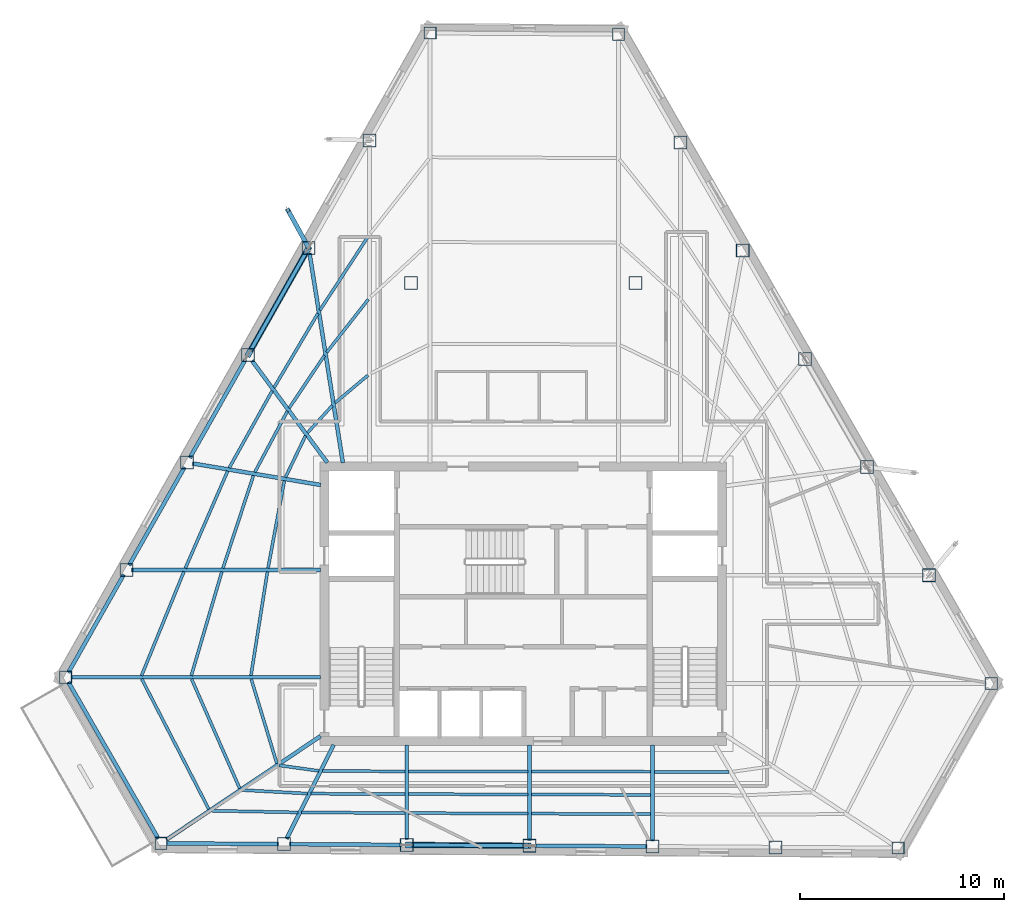
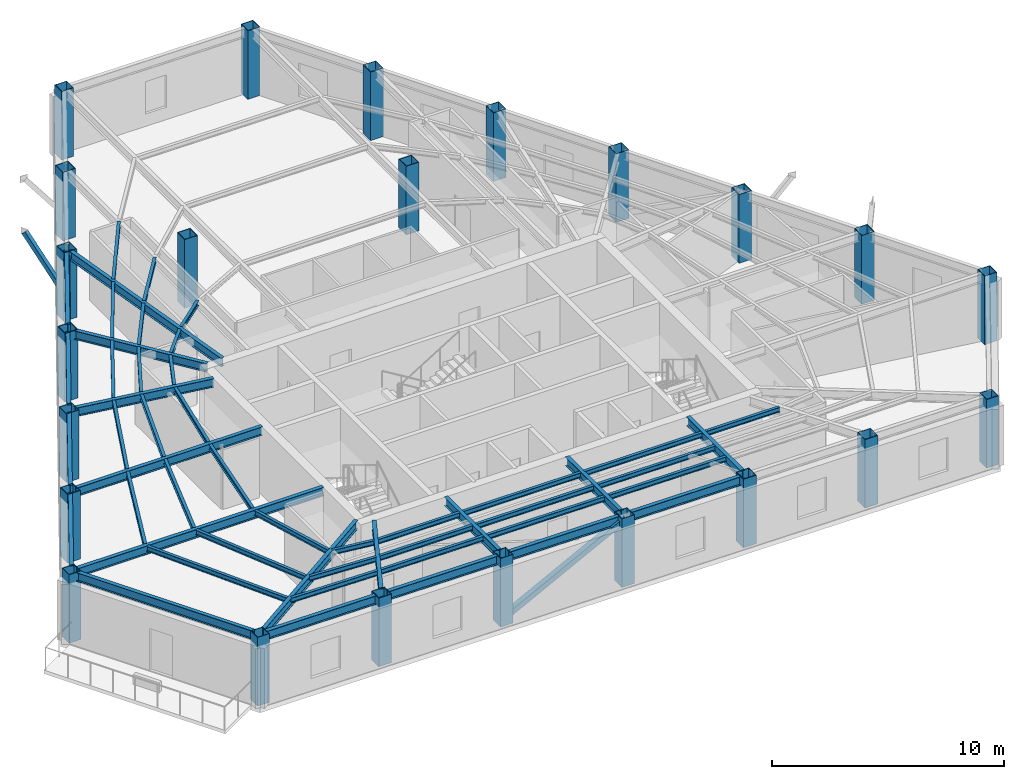
# One storey, part 1 of 11: 50 beams, 23 columns, 3 members.
"""IFC4 building model written with IfcOpenShell, lengths in metres."""

from ifc_helpers import new_model, si_unit, direction, frame, origin, origin_2d, place, context, subcontext, project, spatial, hollow_rectangle, i_section, extrude, material, material_profile, profile_set, type_object, element, save


model = new_model("IFC4")

# Units and contexts
model_context = context("Model", 3, precision=1e-05, world=origin(), true_north=direction((0.0, 1.0)))
body_context = subcontext(model_context, "Body", "Model", "MODEL_VIEW")
ifc_project = project(units=[si_unit("LENGTHUNIT", "METRE"), si_unit("AREAUNIT", "SQUARE_METRE"), si_unit("VOLUMEUNIT", "CUBIC_METRE"), si_unit("PLANEANGLEUNIT", "RADIAN"), si_unit("MASSUNIT", "GRAM", prefix="KILO")], contexts=[model_context])

# Site, building, storey
site_placement = place(None, origin())
site = spatial("IfcSite", under=ifc_project, at=site_placement, CompositionType="ELEMENT")
building_placement = place(site_placement, origin())
building = spatial("IfcBuilding", under=site, at=building_placement, Name="Kavelnor Concourse Tower", CompositionType="ELEMENT")
storey_placement = place(building_placement, frame((0.0, 0.0, 172.699951171875)))
storey = spatial("IfcBuildingStorey", under=building, at=storey_placement, Name="L43", CompositionType="ELEMENT", Elevation=172.699951171875)

# Columns
ifc_material = material(Name="Steel Grade 350", Category="steel")
ifc_material_profile_1 = material_profile(ifc_material, hollow_rectangle(XDim=0.60009765625, YDim=0.60009765625, WallThickness=0.028076171875, at=origin_2d()), Name="SHS 600x600x28")
ifc_profile_set_1 = profile_set([ifc_material_profile_1], Name="Steel Grade 350")
column_type_1 = type_object("IfcColumnType", Name="COL-FOLD-Z3", PredefinedType="COLUMN", material=ifc_profile_set_1)
for number, where, z_axis, x_axis, name in (
    (1, (33.44482421875, 44.042724609375, 0.0), (0.0, 0.0, 1.0), (1.0, 0.0, 0.0), "L43 Perimeter Corner-Fold Column F0-B0"),
    (2, (15.599853515625, 12.5029296875, 0.0), (0.0, 0.0, 1.0), (1.0, 0.0, 0.0), "L43 Perimeter Corner-Fold Column F0-B6"),
    (3, (20.268798828125, 4.372802734375, 0.0), (0.0, 0.0, 1.0), (1.0, 0.0, 0.0), "L43 Perimeter Corner-Fold Column F1-B0"),
    (4, (56.3544921875, 4.141845703125, 0.0), (0.0, 0.0, 1.0), (1.0, 0.0, 0.0), "L43 Perimeter Corner-Fold Column F1-B6"),
    (5, (60.9150390625, 12.2021484375, 0.0), (0.0, 0.0, 1.0), (1.0, 0.0, 0.0), "L43 Perimeter Corner-Fold Column F2-B0"),
    (6, (42.66357421875, 43.98388671875, 0.0), (0.0, 0.0, 1.0), (1.0, 0.0, 0.0), "L43 Perimeter Corner-Fold Column F2-B6"),
):
    element("IfcColumn", number, at=place(storey_placement, frame(where, z_axis=z_axis, x_axis=x_axis)), inside=storey, type_object=column_type_1, Name=name, PredefinedType="COLUMN", context=body_context, shape_type="SweptSolid", body=[
        extrude(hollow_rectangle(XDim=0.60009765625, YDim=0.60009765625, WallThickness=0.028076171875, at=origin_2d()), origin(), (0.0, 0.0, 1.0), 3.60009765625),
    ])
ifc_material_profile_2 = material_profile(ifc_material, hollow_rectangle(XDim=0.639892578125, YDim=0.639892578125, WallThickness=0.028076171875, at=origin_2d()), Name="SHS 640x640x28")
ifc_profile_set_2 = profile_set([ifc_material_profile_2], Name="Steel Grade 350")
column_type_2 = type_object("IfcColumnType", Name="COL-TUBE-Z3", PredefinedType="COLUMN", material=ifc_profile_set_2)
for number, where, z_axis, x_axis, name in (
    (7, (30.470703125, 38.7861328125, 0.0), (0.0, 0.0, 1.0), (1.0, 0.0, 0.0), "L43 Perimeter Framed-Tube Column F0-B1"),
    (8, (27.49658203125, 33.529541015625, 0.0), (0.0, 0.0, 1.0), (1.0, 0.0, 0.0), "L43 Perimeter Framed-Tube Column F0-B2"),
    (9, (24.522216796875, 28.27294921875, 0.0), (0.0, 0.0, 1.0), (1.0, 0.0, 0.0), "L43 Perimeter Framed-Tube Column F0-B3"),
    (10, (21.548095703125, 23.016357421875, 0.0), (0.0, 0.0, 1.0), (1.0, 0.0, 0.0), "L43 Perimeter Framed-Tube Column F0-B4"),
    (11, (18.573974609375, 17.759521484375, 0.0), (0.0, 0.0, 1.0), (1.0, 0.0, 0.0), "L43 Perimeter Framed-Tube Column F0-B5"),
    (12, (26.283203125, 4.33447265625, 0.0), (0.0, 0.0, 1.0), (1.0, 0.0, 0.0), "L43 Perimeter Framed-Tube Column F1-B1"),
    (13, (32.29736328125, 4.2958984375, 0.0), (0.0, 0.0, 1.0), (1.0, 0.0, 0.0), "L43 Perimeter Framed-Tube Column F1-B2"),
    (14, (38.311767578125, 4.25732421875, 0.0), (0.0, 0.0, 1.0), (1.0, 0.0, 0.0), "L43 Perimeter Framed-Tube Column F1-B3"),
    (15, (44.325927734375, 4.218994140625, 0.0), (0.0, 0.0, 1.0), (1.0, 0.0, 0.0), "L43 Perimeter Framed-Tube Column F1-B4"),
    (16, (50.340087890625, 4.180419921875, 0.0), (0.0, 0.0, 1.0), (1.0, 0.0, 0.0), "L43 Perimeter Framed-Tube Column F1-B5"),
    (17, (57.873046875, 17.4990234375, 0.0), (0.0, 0.0, 1.0), (1.0, 0.0, 0.0), "L43 Perimeter Framed-Tube Column F2-B1"),
    (18, (54.831298828125, 22.796142578125, 0.0), (0.0, 0.0, 1.0), (1.0, 0.0, 0.0), "L43 Perimeter Framed-Tube Column F2-B2"),
    (19, (51.789306640625, 28.093017578125, 0.0), (0.0, 0.0, 1.0), (1.0, 0.0, 0.0), "L43 Perimeter Framed-Tube Column F2-B3"),
    (20, (48.747314453125, 33.389892578125, 0.0), (0.0, 0.0, 1.0), (1.0, 0.0, 0.0), "L43 Perimeter Framed-Tube Column F2-B4"),
    (21, (45.70556640625, 38.68701171875, 0.0), (0.0, 0.0, 1.0), (1.0, 0.0, 0.0), "L43 Perimeter Framed-Tube Column F2-B5"),
    (22, (32.5, 31.800048828125, 0.0), (0.0, 0.0, 1.0), (1.0, 0.0, 0.0), "L43 North Interior Gravity Column BC-NW"),
    (23, (43.5, 31.800048828125, 0.0), (0.0, 0.0, 1.0), (1.0, 0.0, 0.0), "L43 North Interior Gravity Column BC-NE"),
):
    element("IfcColumn", number, at=place(storey_placement, frame(where, z_axis=z_axis, x_axis=x_axis)), inside=storey, type_object=column_type_2, Name=name, PredefinedType="COLUMN", context=body_context, shape_type="SweptSolid", body=[
        extrude(hollow_rectangle(XDim=0.639892578125, YDim=0.639892578125, WallThickness=0.028076171875, at=origin_2d()), origin(), (0.0, 0.0, 1.0), 3.60009765625),
    ])

# Beams
ifc_material_profile_3 = material_profile(ifc_material, i_section(OverallWidth=0.14599609375, OverallDepth=0.256103515625, WebThickness=0.00634765625, FlangeThickness=0.010986328125, at=origin_2d()), Name="250UB37")
ifc_profile_set_3 = profile_set([ifc_material_profile_3], Name="Steel Grade 350")
beam_type_1 = type_object("IfcBeamType", Name="BM-JOIST-250", PredefinedType="JOIST", material=ifc_profile_set_3)
beam_1_placement = place(storey_placement, frame((24.68408203125, 12.417724609375, 3.47216796875), z_axis=(0.29021617532, -0.95696111289, 0.0), x_axis=(0.95696111289, 0.29021617532, 0.0)))
element("IfcBeam", 24, at=beam_1_placement, inside=storey, type_object=beam_type_1, Name="L43 Secondary Composite Joist 01-1", PredefinedType="JOIST", context=body_context, shape_type="SweptSolid", body=[
    extrude(i_section(OverallWidth=0.14599609375, OverallDepth=0.256103515625, WebThickness=0.00634765625, FlangeThickness=0.010986328125, at=origin_2d()), origin(), (0.0, 0.0, 1.0), 4.31640625),
])
beam_2_placement = place(storey_placement, frame((21.761474609375, 12.42138671875, 3.47216796875), z_axis=(0.402805743819, -0.915285492481, 0.0), x_axis=(0.915285492481, 0.402805743819, 0.0)))
element("IfcBeam", 25, at=beam_2_placement, inside=storey, type_object=beam_type_1, Name="L43 Secondary Composite Joist 01-2", PredefinedType="JOIST", context=body_context, shape_type="SweptSolid", body=[
    extrude(i_section(OverallWidth=0.14599609375, OverallDepth=0.256103515625, WebThickness=0.00634765625, FlangeThickness=0.010986328125, at=origin_2d()), origin(), (0.0, 0.0, 1.0), 5.85009765625),
])
beam_3_placement = place(storey_placement, frame((19.322265625, 12.423828125, 3.47216796875), z_axis=(0.457969638218, -0.888967834328, 0.0), x_axis=(0.888967834328, 0.457969638218, 0.0)))
element("IfcBeam", 26, at=beam_3_placement, inside=storey, type_object=beam_type_1, Name="L43 Secondary Composite Joist 01-3", PredefinedType="JOIST", context=body_context, shape_type="SweptSolid", body=[
    extrude(i_section(OverallWidth=0.14599609375, OverallDepth=0.256103515625, WebThickness=0.00634765625, FlangeThickness=0.010986328125, at=origin_2d()), origin(), (0.0, 0.0, 1.0), 7.1689453125),
])
beam_4_placement = place(storey_placement, frame((26.05078125, 8.189697265625, 3.47216796875), z_axis=(0.990531875888, -0.137282929929, 0.0), x_axis=(0.137282929929, 0.990531875888, 0.0)))
element("IfcBeam", 27, at=beam_4_placement, inside=storey, type_object=beam_type_1, Name="L43 Secondary Composite Joist 02-1", PredefinedType="JOIST", context=body_context, shape_type="SweptSolid", body=[
    extrude(i_section(OverallWidth=0.14599609375, OverallDepth=0.256103515625, WebThickness=0.00634765625, FlangeThickness=0.010986328125, at=origin_2d()), origin(), (0.0, 0.0, 1.0), 1.9580078125),
])
beam_5_placement = place(storey_placement, frame((24.242431640625, 6.980712890625, 3.47216796875), z_axis=(0.998574679918, -0.053372358255, 0.0), x_axis=(0.053372358255, 0.998574679918, 0.0)))
element("IfcBeam", 28, at=beam_5_placement, inside=storey, type_object=beam_type_1, Name="L43 Secondary Composite Joist 02-2", PredefinedType="JOIST", context=body_context, shape_type="SweptSolid", body=[
    extrude(i_section(OverallWidth=0.14599609375, OverallDepth=0.256103515625, WebThickness=0.00634765625, FlangeThickness=0.010986328125, at=origin_2d()), origin(), (0.0, 0.0, 1.0), 3.197509765625),
])
beam_6_placement = place(storey_placement, frame((22.735107421875, 5.969970703125, 3.47216796875), z_axis=(0.999811631777, -0.019408785709, 0.0), x_axis=(0.019408785709, 0.999811631777, 0.0)))
element("IfcBeam", 29, at=beam_6_placement, inside=storey, type_object=beam_type_1, Name="L43 Secondary Composite Joist 02-3", PredefinedType="JOIST", context=body_context, shape_type="SweptSolid", body=[
    extrude(i_section(OverallWidth=0.14599609375, OverallDepth=0.256103515625, WebThickness=0.00634765625, FlangeThickness=0.010986328125, at=origin_2d()), origin(), (0.0, 0.0, 1.0), 4.239013671875),
])
beam_7_placement = place(storey_placement, frame((28.16748046875, 7.908447265625, 3.47216796875), z_axis=(0.999997764351, -0.002114543363, 0.0), x_axis=(0.002114543363, 0.999997764351, 0.0)))
element("IfcBeam", 30, at=beam_7_placement, inside=storey, type_object=beam_type_1, Name="L43 Secondary Composite Joist 03-1", PredefinedType="JOIST", context=body_context, shape_type="SweptSolid", body=[
    extrude(i_section(OverallWidth=0.14599609375, OverallDepth=0.256103515625, WebThickness=0.00634765625, FlangeThickness=0.010986328125, at=origin_2d()), origin(), (0.0, 0.0, 1.0), 4.041015625),
])
beam_8_placement = place(storey_placement, frame((27.61328125, 6.804931640625, 3.47216796875), z_axis=(0.999990967405, -0.004250306949, 0.0), x_axis=(0.004250306949, 0.999990967405, 0.0)))
element("IfcBeam", 31, at=beam_8_placement, inside=storey, type_object=beam_type_1, Name="L43 Secondary Composite Joist 03-2", PredefinedType="JOIST", context=body_context, shape_type="SweptSolid", body=[
    extrude(i_section(OverallWidth=0.14599609375, OverallDepth=0.256103515625, WebThickness=0.00634765625, FlangeThickness=0.010986328125, at=origin_2d()), origin(), (0.0, 0.0, 1.0), 4.59521484375),
])
beam_9_placement = place(storey_placement, frame((27.1513671875, 5.885498046875, 3.47216796875), z_axis=(0.999983774597, -0.005696537868, 0.0), x_axis=(0.005696537868, 0.999983774597, 0.0)))
element("IfcBeam", 32, at=beam_9_placement, inside=storey, type_object=beam_type_1, Name="L43 Secondary Composite Joist 03-3", PredefinedType="JOIST", context=body_context, shape_type="SweptSolid", body=[
    extrude(i_section(OverallWidth=0.14599609375, OverallDepth=0.256103515625, WebThickness=0.00634765625, FlangeThickness=0.010986328125, at=origin_2d()), origin(), (0.0, 0.0, 1.0), 5.05712890625),
])
for number, where, z_axis, x_axis, name in (
    (33, (32.386474609375, 7.8994140625, 3.47216796875), (0.999998382187, -0.001798783955, 0.0), (0.001798783955, 0.999998382187, 0.0), "L43 Secondary Composite Joist 04-1"),
    (34, (32.386474609375, 6.784912109375, 3.47216796875), (0.999994400247, -0.003346561473, 0.0), (0.003346561473, 0.999994400247, 0.0), "L43 Secondary Composite Joist 04-2"),
    (35, (32.386474609375, 5.855712890625, 3.47216796875), (0.999989413047, -0.004601499077, 0.0), (0.004601499077, 0.999989413047, 0.0), "L43 Secondary Composite Joist 04-3"),
    (36, (38.400634765625, 7.888671875, 3.47216796875), (0.999998456559, -0.0017569519, 0.0), (0.0017569519, 0.999998456559, 0.0), "L43 Secondary Composite Joist 05-1"),
    (37, (38.400634765625, 6.764892578125, 3.47216796875), (0.999994400247, -0.003346561473, 0.0), (0.003346561473, 0.999994400247, 0.0), "L43 Secondary Composite Joist 05-2"),
    (38, (38.400634765625, 5.828125, 3.47216796875), (0.999989413047, -0.004601499077, 0.0), (0.004601499077, 0.999989413047, 0.0), "L43 Secondary Composite Joist 05-3"),
):
    element("IfcBeam", number, at=place(storey_placement, frame(where, z_axis=z_axis, x_axis=x_axis)), inside=storey, type_object=beam_type_1, Name=name, PredefinedType="JOIST", context=body_context, shape_type="SweptSolid", body=[
        extrude(i_section(OverallWidth=0.14599609375, OverallDepth=0.256103515625, WebThickness=0.00634765625, FlangeThickness=0.010986328125, at=origin_2d()), origin(), (0.0, 0.0, 1.0), 5.836181640625),
    ])
beam_10_placement = place(storey_placement, frame((44.414794921875, 7.877685546875, 3.47216796875), z_axis=(0.999994236967, -0.003395001071, 0.0), x_axis=(0.003395001071, 0.999994236967, 0.0)))
element("IfcBeam", 39, at=beam_10_placement, inside=storey, type_object=beam_type_1, Name="L43 Secondary Composite Joist 06-1", PredefinedType="JOIST", context=body_context, shape_type="SweptSolid", body=[
    extrude(i_section(OverallWidth=0.14599609375, OverallDepth=0.256103515625, WebThickness=0.00634765625, FlangeThickness=0.010986328125, at=origin_2d()), origin(), (0.0, 0.0, 1.0), 3.66748046875),
])
beam_11_placement = place(storey_placement, frame((30.40234375, 27.290283203125, 3.47216796875), z_axis=(-0.766323664062, -0.642454700269, 0.0), x_axis=(0.642454700269, -0.766323664062, 0.0)))
element("IfcBeam", 40, at=beam_11_placement, inside=storey, type_object=beam_type_1, Name="L43 Secondary Composite Joist 17-1", PredefinedType="JOIST", context=body_context, shape_type="SweptSolid", body=[
    extrude(i_section(OverallWidth=0.14599609375, OverallDepth=0.256103515625, WebThickness=0.00634765625, FlangeThickness=0.010986328125, at=origin_2d()), origin(), (0.0, 0.0, 1.0), 2.11279296875),
])
beam_12_placement = place(storey_placement, frame((30.41552734375, 31.003662109375, 3.47216796875), z_axis=(-0.617837896723, -0.786305496212, 0.0), x_axis=(0.786305496212, -0.617837896723, 0.0)))
element("IfcBeam", 41, at=beam_12_placement, inside=storey, type_object=beam_type_1, Name="L43 Secondary Composite Joist 17-2", PredefinedType="JOIST", context=body_context, shape_type="SweptSolid", body=[
    extrude(i_section(OverallWidth=0.14599609375, OverallDepth=0.256103515625, WebThickness=0.00634765625, FlangeThickness=0.010986328125, at=origin_2d()), origin(), (0.0, 0.0, 1.0), 3.29833984375),
])
beam_13_placement = place(storey_placement, frame((30.421875, 34.1044921875, 3.47216796875), z_axis=(-0.547234222069, -0.836979513606, 0.0), x_axis=(0.836979513606, -0.547234222069, 0.0)))
element("IfcBeam", 42, at=beam_13_placement, inside=storey, type_object=beam_type_1, Name="L43 Secondary Composite Joist 17-3", PredefinedType="JOIST", context=body_context, shape_type="SweptSolid", body=[
    extrude(i_section(OverallWidth=0.14599609375, OverallDepth=0.256103515625, WebThickness=0.00634765625, FlangeThickness=0.010986328125, at=origin_2d()), origin(), (0.0, 0.0, 1.0), 4.344482421875),
])
beam_14_placement = place(storey_placement, frame((28.6552734375, 25.809814453125, 3.47216796875), z_axis=(-0.672881208698, -0.739750551863, 0.0), x_axis=(0.739750551863, -0.672881208698, 0.0)))
element("IfcBeam", 43, at=beam_14_placement, inside=storey, type_object=beam_type_1, Name="L43 Secondary Composite Joist 18-1", PredefinedType="JOIST", context=body_context, shape_type="SweptSolid", body=[
    extrude(i_section(OverallWidth=0.14599609375, OverallDepth=0.256103515625, WebThickness=0.00634765625, FlangeThickness=0.010986328125, at=origin_2d()), origin(), (0.0, 0.0, 1.0), 1.80712890625),
])
beam_15_placement = place(storey_placement, frame((28.273193359375, 28.26611328125, 3.47216796875), z_axis=(-0.556238368313, -0.83102279007, 0.0), x_axis=(0.83102279007, -0.556238368313, 0.0)))
element("IfcBeam", 44, at=beam_15_placement, inside=storey, type_object=beam_type_1, Name="L43 Secondary Composite Joist 18-2", PredefinedType="JOIST", context=body_context, shape_type="SweptSolid", body=[
    extrude(i_section(OverallWidth=0.14599609375, OverallDepth=0.256103515625, WebThickness=0.00634765625, FlangeThickness=0.010986328125, at=origin_2d()), origin(), (0.0, 0.0, 1.0), 3.111572265625),
])
beam_16_placement = place(storey_placement, frame((27.950439453125, 30.317138671875, 3.47216796875), z_axis=(-0.509292060752, -0.860593746698, 0.0), x_axis=(0.860593746698, -0.509292060752, 0.0)))
element("IfcBeam", 45, at=beam_16_placement, inside=storey, type_object=beam_type_1, Name="L43 Secondary Composite Joist 18-3", PredefinedType="JOIST", context=body_context, shape_type="SweptSolid", body=[
    extrude(i_section(OverallWidth=0.14599609375, OverallDepth=0.256103515625, WebThickness=0.00634765625, FlangeThickness=0.010986328125, at=origin_2d()), origin(), (0.0, 0.0, 1.0), 4.223388671875),
])
beam_17_placement = place(storey_placement, frame((27.3408203125, 24.326904296875, 3.47216796875), z_axis=(-0.43370174279, -0.901056490072, 0.0), x_axis=(0.901056490072, -0.43370174279, 0.0)))
element("IfcBeam", 46, at=beam_17_placement, inside=storey, type_object=beam_type_1, Name="L43 Secondary Composite Joist 19-1", PredefinedType="JOIST", context=body_context, shape_type="SweptSolid", body=[
    extrude(i_section(OverallWidth=0.14599609375, OverallDepth=0.256103515625, WebThickness=0.00634765625, FlangeThickness=0.010986328125, at=origin_2d()), origin(), (0.0, 0.0, 1.0), 2.256103515625),
])
beam_18_placement = place(storey_placement, frame((26.451171875, 25.52783203125, 3.47216796875), z_axis=(-0.470546998955, -0.882374932653, 0.0), x_axis=(0.882374932653, -0.470546998955, 0.0)))
element("IfcBeam", 47, at=beam_18_placement, inside=storey, type_object=beam_type_1, Name="L43 Secondary Composite Joist 19-2", PredefinedType="JOIST", context=body_context, shape_type="SweptSolid", body=[
    extrude(i_section(OverallWidth=0.14599609375, OverallDepth=0.256103515625, WebThickness=0.00634765625, FlangeThickness=0.010986328125, at=origin_2d()), origin(), (0.0, 0.0, 1.0), 3.38037109375),
])
beam_19_placement = place(storey_placement, frame((25.7109375, 26.528076171875, 3.47216796875), z_axis=(-0.4868709812, -0.873473896385, 0.0), x_axis=(0.873473896385, -0.4868709812, 0.0)))
element("IfcBeam", 48, at=beam_19_placement, inside=storey, type_object=beam_type_1, Name="L43 Secondary Composite Joist 19-3", PredefinedType="JOIST", context=body_context, shape_type="SweptSolid", body=[
    extrude(i_section(OverallWidth=0.14599609375, OverallDepth=0.256103515625, WebThickness=0.00634765625, FlangeThickness=0.010986328125, at=origin_2d()), origin(), (0.0, 0.0, 1.0), 4.319580078125),
])
beam_20_placement = place(storey_placement, frame((26.307373046875, 22.126220703125, 3.47216796875), z_axis=(-0.183729785903, -0.982976788013, 0.0), x_axis=(0.982976788013, -0.183729785903, 0.0)))
element("IfcBeam", 49, at=beam_20_placement, inside=storey, type_object=beam_type_1, Name="L43 Secondary Composite Joist 20-1", PredefinedType="JOIST", context=body_context, shape_type="SweptSolid", body=[
    extrude(i_section(OverallWidth=0.14599609375, OverallDepth=0.256103515625, WebThickness=0.00634765625, FlangeThickness=0.010986328125, at=origin_2d()), origin(), (0.0, 0.0, 1.0), 4.353271484375),
])
beam_21_placement = place(storey_placement, frame((24.791015625, 22.382080078125, 3.47216796875), z_axis=(-0.31219217112, -0.950018972595, 0.0), x_axis=(0.950018972595, -0.31219217112, 0.0)))
element("IfcBeam", 50, at=beam_21_placement, inside=storey, type_object=beam_type_1, Name="L43 Secondary Composite Joist 20-2", PredefinedType="JOIST", context=body_context, shape_type="SweptSolid", body=[
    extrude(i_section(OverallWidth=0.14599609375, OverallDepth=0.256103515625, WebThickness=0.00634765625, FlangeThickness=0.010986328125, at=origin_2d()), origin(), (0.0, 0.0, 1.0), 4.776611328125),
])
beam_22_placement = place(storey_placement, frame((23.529052734375, 22.595703125, 3.47216796875), z_axis=(-0.399282086368, -0.916828127571, 0.0), x_axis=(0.916828127571, -0.399282086368, 0.0)))
element("IfcBeam", 51, at=beam_22_placement, inside=storey, type_object=beam_type_1, Name="L43 Secondary Composite Joist 20-3", PredefinedType="JOIST", context=body_context, shape_type="SweptSolid", body=[
    extrude(i_section(OverallWidth=0.14599609375, OverallDepth=0.256103515625, WebThickness=0.00634765625, FlangeThickness=0.010986328125, at=origin_2d()), origin(), (0.0, 0.0, 1.0), 5.185791015625),
])
beam_23_placement = place(storey_placement, frame((25.477294921875, 17.671630859375, 3.47216796875), z_axis=(-0.156474346752, -0.987682023127, 0.0), x_axis=(0.987682023127, -0.156474346752, 0.0)))
element("IfcBeam", 52, at=beam_23_placement, inside=storey, type_object=beam_type_1, Name="L43 Secondary Composite Joist 21-1", PredefinedType="JOIST", context=body_context, shape_type="SweptSolid", body=[
    extrude(i_section(OverallWidth=0.14599609375, OverallDepth=0.256103515625, WebThickness=0.00634765625, FlangeThickness=0.010986328125, at=origin_2d()), origin(), (0.0, 0.0, 1.0), 5.144287109375),
])
beam_24_placement = place(storey_placement, frame((23.2470703125, 17.67431640625, 3.47216796875), z_axis=(-0.282248599374, -0.959341299096, 0.0), x_axis=(0.959341299096, -0.282248599374, 0.0)))
element("IfcBeam", 53, at=beam_24_placement, inside=storey, type_object=beam_type_1, Name="L43 Secondary Composite Joist 21-2", PredefinedType="JOIST", context=body_context, shape_type="SweptSolid", body=[
    extrude(i_section(OverallWidth=0.14599609375, OverallDepth=0.256103515625, WebThickness=0.00634765625, FlangeThickness=0.010986328125, at=origin_2d()), origin(), (0.0, 0.0, 1.0), 5.301513671875),
])
beam_25_placement = place(storey_placement, frame((21.389404296875, 17.67724609375, 3.47216796875), z_axis=(-0.377263034945, -0.926106150754, 0.0), x_axis=(0.926106150754, -0.377263034945, 0.0)))
element("IfcBeam", 54, at=beam_25_placement, inside=storey, type_object=beam_type_1, Name="L43 Secondary Composite Joist 21-3", PredefinedType="JOIST", context=body_context, shape_type="SweptSolid", body=[
    extrude(i_section(OverallWidth=0.14599609375, OverallDepth=0.256103515625, WebThickness=0.00634765625, FlangeThickness=0.010986328125, at=origin_2d()), origin(), (0.0, 0.0, 1.0), 5.498046875),
])
ifc_material_profile_4 = material_profile(ifc_material, i_section(OverallWidth=0.18994140625, OverallDepth=0.4541015625, WebThickness=0.008544921875, FlangeThickness=0.0126953125, at=origin_2d()), Name="460UB67")
ifc_profile_set_4 = profile_set([ifc_material_profile_4], Name="Steel Grade 350")
beam_type_2 = type_object("IfcBeamType", Name="BM-PRIMARY-460", PredefinedType="BEAM", material=ifc_profile_set_4)
beam_26_placement = place(storey_placement, frame((29.1728515625, 23.00048828125, 3.373046875), z_axis=(-0.157221221797, 0.987563409314, 0.0), x_axis=(-0.987563409314, -0.157221221797, 0.0)))
element("IfcBeam", 55, at=beam_26_placement, inside=storey, type_object=beam_type_2, Name="L43 Primary Floor Girder F0-B2", PredefinedType="BEAM", context=body_context, shape_type="SweptSolid", body=[
    extrude(i_section(OverallWidth=0.18994140625, OverallDepth=0.4541015625, WebThickness=0.008544921875, FlangeThickness=0.0126953125, at=origin_2d()), origin(), (0.0, 0.0, 1.0), 10.39794921875),
])
beam_27_placement = place(storey_placement, frame((28.413330078125, 23.0078125, 3.373046875), z_axis=(-0.594333614153, 0.804218599068, 0.0), x_axis=(-0.804218599068, -0.594333614153, 0.0)))
element("IfcBeam", 56, at=beam_27_placement, inside=storey, type_object=beam_type_2, Name="L43 Primary Floor Girder F0-B3", PredefinedType="BEAM", context=body_context, shape_type="SweptSolid", body=[
    extrude(i_section(OverallWidth=0.18994140625, OverallDepth=0.4541015625, WebThickness=0.008544921875, FlangeThickness=0.0126953125, at=origin_2d()), origin(), (0.0, 0.0, 1.0), 6.2138671875),
])
beam_28_placement = place(storey_placement, frame((28.079345703125, 21.918701171875, 3.373046875), z_axis=(-0.986173039634, 0.165718845938, 0.0), x_axis=(-0.165718845938, -0.986173039634, 0.0)))
element("IfcBeam", 57, at=beam_28_placement, inside=storey, type_object=beam_type_2, Name="L43 Primary Floor Girder F0-B4", PredefinedType="BEAM", context=body_context, shape_type="SweptSolid", body=[
    extrude(i_section(OverallWidth=0.18994140625, OverallDepth=0.4541015625, WebThickness=0.008544921875, FlangeThickness=0.0126953125, at=origin_2d()), origin(), (0.0, 0.0, 1.0), 6.3583984375),
])
beam_29_placement = place(storey_placement, frame((28.080078125, 17.759521484375, 3.373046875), z_axis=(-1.0, 0.0, 0.0), x_axis=(0.0, -1.0, 0.0)))
element("IfcBeam", 58, at=beam_29_placement, inside=storey, type_object=beam_type_2, Name="L43 Primary Floor Girder F0-B5", PredefinedType="BEAM", context=body_context, shape_type="SweptSolid", body=[
    extrude(i_section(OverallWidth=0.18994140625, OverallDepth=0.4541015625, WebThickness=0.008544921875, FlangeThickness=0.0126953125, at=origin_2d()), origin(), (0.0, 0.0, 1.0), 9.24609375),
])
beam_30_placement = place(storey_placement, frame((28.080078125, 12.5029296875, 3.373046875), z_axis=(-1.0, 0.0, 0.0), x_axis=(0.0, -1.0, 0.0)))
element("IfcBeam", 59, at=beam_30_placement, inside=storey, type_object=beam_type_2, Name="L43 Primary Floor Girder F0-B6", PredefinedType="BEAM", context=body_context, shape_type="SweptSolid", body=[
    extrude(i_section(OverallWidth=0.18994140625, OverallDepth=0.4541015625, WebThickness=0.008544921875, FlangeThickness=0.0126953125, at=origin_2d()), origin(), (0.0, 0.0, 1.0), 12.22021484375),
])
beam_31_placement = place(storey_placement, frame((28.0732421875, 9.62109375, 3.373046875), z_axis=(-0.829818964716, -0.558032692409, 0.0), x_axis=(0.558032692409, -0.829818964716, 0.0)))
element("IfcBeam", 60, at=beam_31_placement, inside=storey, type_object=beam_type_2, Name="L43 Primary Floor Girder F1-B0", PredefinedType="BEAM", context=body_context, shape_type="SweptSolid", body=[
    extrude(i_section(OverallWidth=0.18994140625, OverallDepth=0.4541015625, WebThickness=0.008544921875, FlangeThickness=0.0126953125, at=origin_2d()), origin(), (0.0, 0.0, 1.0), 9.08349609375),
])
beam_32_placement = place(storey_placement, frame((28.724853515625, 9.19580078125, 3.373046875), z_axis=(-0.448845360672, -0.893609446125, 0.0), x_axis=(0.893609446125, -0.448845360672, 0.0)))
element("IfcBeam", 61, at=beam_32_placement, inside=storey, type_object=beam_type_2, Name="L43 Primary Floor Girder F1-B1", PredefinedType="BEAM", context=body_context, shape_type="SweptSolid", body=[
    extrude(i_section(OverallWidth=0.18994140625, OverallDepth=0.4541015625, WebThickness=0.008544921875, FlangeThickness=0.0126953125, at=origin_2d()), origin(), (0.0, 0.0, 1.0), 5.14453125),
])
beam_33_placement = place(storey_placement, frame((32.29736328125, 9.199951171875, 3.373046875), z_axis=(0.0, -1.0, 0.0), x_axis=(1.0, 0.0, 0.0)))
element("IfcBeam", 62, at=beam_33_placement, inside=storey, type_object=beam_type_2, Name="L43 Primary Floor Girder F1-B2", PredefinedType="BEAM", context=body_context, shape_type="SweptSolid", body=[
    extrude(i_section(OverallWidth=0.18994140625, OverallDepth=0.4541015625, WebThickness=0.008544921875, FlangeThickness=0.0126953125, at=origin_2d()), origin(), (0.0, 0.0, 1.0), 4.64404296875),
])
beam_34_placement = place(storey_placement, frame((38.311767578125, 9.199951171875, 3.373046875), z_axis=(0.0, -1.0, 0.0), x_axis=(1.0, 0.0, 0.0)))
element("IfcBeam", 63, at=beam_34_placement, inside=storey, type_object=beam_type_2, Name="L43 Primary Floor Girder F1-B3", PredefinedType="BEAM", context=body_context, shape_type="SweptSolid", body=[
    extrude(i_section(OverallWidth=0.18994140625, OverallDepth=0.4541015625, WebThickness=0.008544921875, FlangeThickness=0.0126953125, at=origin_2d()), origin(), (0.0, 0.0, 1.0), 4.6826171875),
])
beam_35_placement = place(storey_placement, frame((44.325927734375, 9.199951171875, 3.373046875), z_axis=(0.0, -1.0, 0.0), x_axis=(1.0, 0.0, 0.0)))
element("IfcBeam", 64, at=beam_35_placement, inside=storey, type_object=beam_type_2, Name="L43 Primary Floor Girder F1-B4", PredefinedType="BEAM", context=body_context, shape_type="SweptSolid", body=[
    extrude(i_section(OverallWidth=0.18994140625, OverallDepth=0.4541015625, WebThickness=0.008544921875, FlangeThickness=0.0126953125, at=origin_2d()), origin(), (0.0, 0.0, 1.0), 4.720947265625),
])
ifc_material_profile_5 = material_profile(ifc_material, i_section(OverallWidth=0.19091796875, OverallDepth=0.4599609375, WebThickness=0.010009765625, FlangeThickness=0.01611328125, at=origin_2d()), Name="460UB82")
ifc_profile_set_5 = profile_set([ifc_material_profile_5], Name="Steel Grade 350")
beam_type_3 = type_object("IfcBeamType", Name="BM-SPANDREL-Z3", PredefinedType="SPANDREL", material=ifc_profile_set_5)
for number, where, z_axis, x_axis, name in (
    (65, (27.365966796875, 33.298828125, 3.3701171875), (-0.492426617685, -0.870353966037, 0.0), (0.870353966037, -0.492426617685, 0.0), "L43 Perimeter Tube Spandrel Beam F0-B2"),
    (66, (24.391845703125, 28.042236328125, 3.3701171875), (-0.492426617685, -0.870353966037, 0.0), (0.870353966037, -0.492426617685, 0.0), "L43 Perimeter Tube Spandrel Beam F0-B3"),
    (67, (21.417724609375, 22.78564453125, 3.3701171875), (-0.492426617685, -0.870353966037, 0.0), (0.870353966037, -0.492426617685, 0.0), "L43 Perimeter Tube Spandrel Beam F0-B4"),
    (68, (18.443603515625, 17.529052734375, 3.3701171875), (-0.492426617685, -0.870353966037, 0.0), (0.870353966037, -0.492426617685, 0.0), "L43 Perimeter Tube Spandrel Beam F0-B5"),
):
    element("IfcBeam", number, at=place(storey_placement, frame(where, z_axis=z_axis, x_axis=x_axis)), inside=storey, type_object=beam_type_3, Name=name, PredefinedType="SPANDREL", context=body_context, shape_type="SweptSolid", body=[
        extrude(i_section(OverallWidth=0.19091796875, OverallDepth=0.4599609375, WebThickness=0.010009765625, FlangeThickness=0.01611328125, at=origin_2d()), origin(), (0.0, 0.0, 1.0), 5.509765625),
    ])
for number, where, z_axis, x_axis, name in (
    (69, (20.53369140625, 4.37109375, 3.3701171875), (0.999979739288, -0.006365611766, 0.0), (0.006365611766, 0.999979739288, 0.0), "L43 Perimeter Tube Spandrel Beam F1-B0"),
    (70, (26.548095703125, 4.332763671875, 3.3701171875), (0.99997945494, -0.006410124711, 0.0), (0.006410124711, 0.99997945494, 0.0), "L43 Perimeter Tube Spandrel Beam F1-B1"),
):
    element("IfcBeam", number, at=place(storey_placement, frame(where, z_axis=z_axis, x_axis=x_axis)), inside=storey, type_object=beam_type_3, Name=name, PredefinedType="SPANDREL", context=body_context, shape_type="SweptSolid", body=[
        extrude(i_section(OverallWidth=0.19091796875, OverallDepth=0.4599609375, WebThickness=0.010009765625, FlangeThickness=0.01611328125, at=origin_2d()), origin(), (0.0, 0.0, 1.0), 5.484375),
    ])
for number, where, z_axis, x_axis, name in (
    (71, (32.5625, 4.294189453125, 3.3701171875), (0.99997945311, -0.006410410063, 0.0), (0.006410410063, 0.99997945311, 0.0), "L43 Perimeter Tube Spandrel Beam F1-B2"),
    (72, (38.57666015625, 4.255615234375, 3.3701171875), (0.999979737484, -0.006365895137, 0.0), (0.006365895137, 0.999979737484, 0.0), "L43 Perimeter Tube Spandrel Beam F1-B3"),
):
    element("IfcBeam", number, at=place(storey_placement, frame(where, z_axis=z_axis, x_axis=x_axis)), inside=storey, type_object=beam_type_3, Name=name, PredefinedType="SPANDREL", context=body_context, shape_type="SweptSolid", body=[
        extrude(i_section(OverallWidth=0.19091796875, OverallDepth=0.4599609375, WebThickness=0.010009765625, FlangeThickness=0.01611328125, at=origin_2d()), origin(), (0.0, 0.0, 1.0), 5.484130859375),
    ])
beam_36_placement = place(storey_placement, frame((15.73193359375, 12.273193359375, 3.3701171875), z_axis=(0.497986690924, -0.867184672179, 0.0), x_axis=(0.867184672179, 0.497986690924, 0.0)))
element("IfcBeam", 73, at=beam_36_placement, inside=storey, type_object=beam_type_3, Name="L43 Chamfer Facet Spandrel Beam C1", PredefinedType="SPANDREL", context=body_context, shape_type="SweptSolid", body=[
    extrude(i_section(OverallWidth=0.19091796875, OverallDepth=0.4599609375, WebThickness=0.010009765625, FlangeThickness=0.01611328125, at=origin_2d()), origin(), (0.0, 0.0, 1.0), 8.84521484375),
])

# Members
ifc_material_profile_6 = material_profile(ifc_material, hollow_rectangle(XDim=0.219970703125, YDim=0.219970703125, WallThickness=0.013916015625, at=origin_2d()), Name="SHS 220x220x14")
ifc_profile_set_6 = profile_set([ifc_material_profile_6], Name="Steel Grade 350")
member_type_1 = type_object("IfcMemberType", Name="MBR-BALC-STRUT-220", PredefinedType="STRUT", material=ifc_profile_set_6)
member_1_placement = place(storey_placement, frame((27.49658203125, 33.529541015625, 1.050048828125), z_axis=(-0.303242877555, 0.550270256529, 0.777975836381), x_axis=(-0.87581623249, -0.482644721204, 0.0)))
element("IfcMember", 74, at=member_1_placement, inside=storey, type_object=member_type_1, Name="L43 Tree Balcony Raking Knee Strut 2-B", PredefinedType="STRUT", context=body_context, shape_type="SweptSolid", body=[
    extrude(hollow_rectangle(XDim=0.219970703125, YDim=0.219970703125, WallThickness=0.013916015625, at=origin_2d()), origin(), (0.0, 0.0, 1.0), 3.348388671875),
])
ifc_material_profile_7 = material_profile(ifc_material, hollow_rectangle(XDim=0.280029296875, YDim=0.280029296875, WallThickness=0.01611328125, at=origin_2d()), Name="SHS 280x280x16")
ifc_profile_set_7 = profile_set([ifc_material_profile_7], Name="Steel Grade 350")
member_type_2 = type_object("IfcMemberType", Name="MBR-TUBE-DIAG-Z3", PredefinedType="BRACE", material=ifc_profile_set_7)
member_2_placement = place(storey_placement, frame((24.522216796875, 28.27294921875, 0.219970703125), z_axis=(0.436642305947, 0.771677377439, 0.462447317872), x_axis=(-0.870332370991, 0.492464784533, 0.0)))
element("IfcMember", 75, at=member_2_placement, inside=storey, type_object=member_type_2, Name="L43 Framed-Tube Bracing Diagonal F0-B2", PredefinedType="BRACE", context=body_context, shape_type="SweptSolid", body=[
    extrude(hollow_rectangle(XDim=0.280029296875, YDim=0.280029296875, WallThickness=0.01611328125, at=origin_2d()), origin(), (0.0, 0.0, 1.0), 6.81201171875),
])
member_3_placement = place(storey_placement, frame((32.29736328125, 4.2958984375, 0.219970703125), z_axis=(0.885832721867, -0.005681411409, 0.463969945616), x_axis=(0.006413507224, 0.999979433251, 0.0)))
element("IfcMember", 76, at=member_3_placement, inside=storey, type_object=member_type_2, Name="L43 Framed-Tube Bracing Diagonal F1-B2", PredefinedType="BRACE", context=body_context, shape_type="SweptSolid", body=[
    extrude(hollow_rectangle(XDim=0.280029296875, YDim=0.280029296875, WallThickness=0.01611328125, at=origin_2d()), origin(), (0.0, 0.0, 1.0), 6.78955078125),
])

save(model, "model.ifc")
